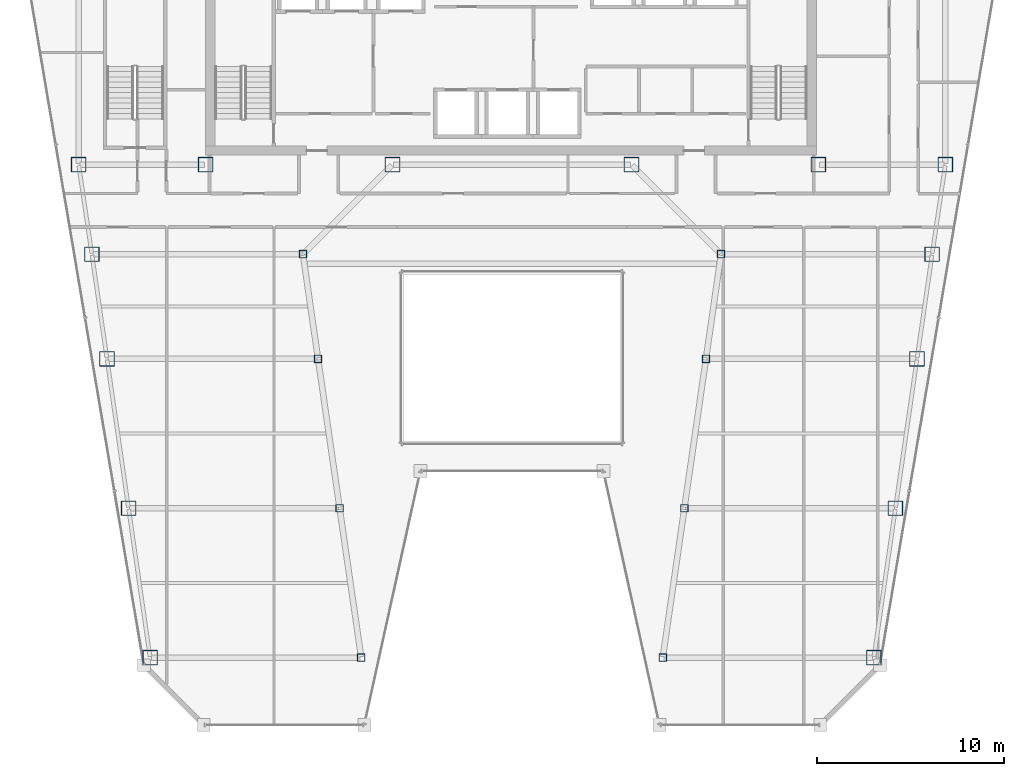
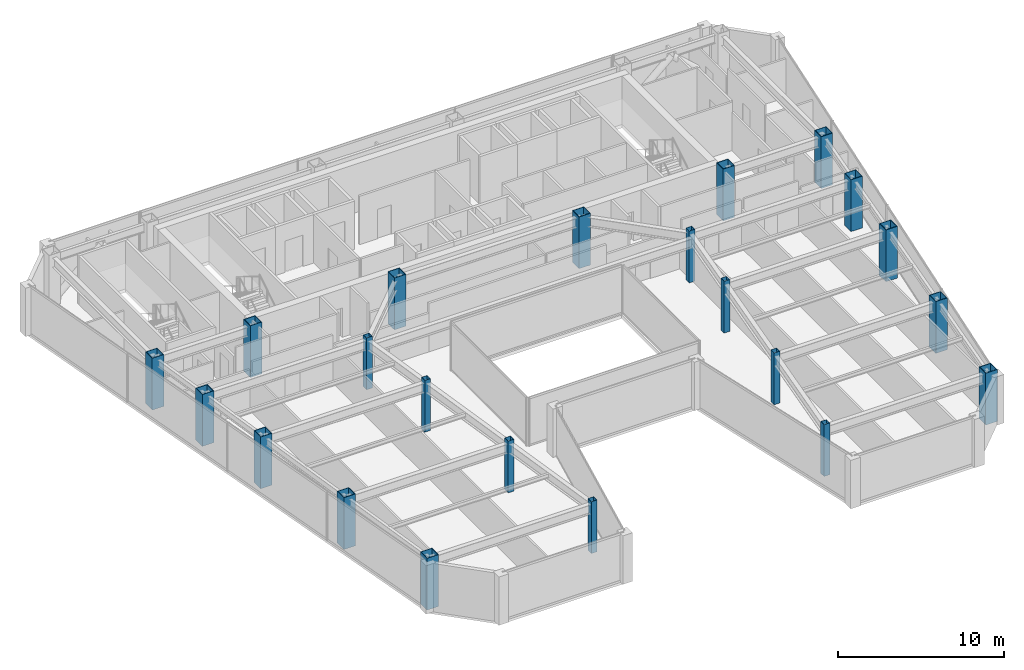
# One storey, part 1 of 36: 22 columns.
"""IFC4 building model written with IfcOpenShell, lengths in metres."""

from ifc_helpers import new_model, si_unit, direction, frame, origin, origin_2d, place, context, subcontext, project, spatial, hollow_rectangle, extrude, material, material_profile, profile_set, type_object, element, save


model = new_model("IFC4")

# Units and contexts
model_context = context("Model", 3, precision=1e-05, world=origin(), true_north=direction((0.0, 1.0)))
body_context = subcontext(model_context, "Body", "Model", "MODEL_VIEW")
ifc_project = project(units=[si_unit("LENGTHUNIT", "METRE"), si_unit("AREAUNIT", "SQUARE_METRE"), si_unit("VOLUMEUNIT", "CUBIC_METRE"), si_unit("PLANEANGLEUNIT", "RADIAN"), si_unit("MASSUNIT", "GRAM", prefix="KILO")], contexts=[model_context])

# Site, building, storey
site_placement = place(None, origin())
site = spatial("IfcSite", under=ifc_project, at=site_placement, CompositionType="ELEMENT")
building_placement = place(site_placement, origin())
building = spatial("IfcBuilding", under=site, at=building_placement, Name="Saevonmaru Cultural Tower", CompositionType="ELEMENT")
storey_placement = place(building_placement, frame((0.0, 0.0, 205.60009765625)))
storey = spatial("IfcBuildingStorey", under=building, at=storey_placement, Name="L47", CompositionType="ELEMENT", Elevation=205.60009765625)

# Columns
ifc_material_1 = material(Name="Steel SM420", Category="steel")
ifc_material_profile_1 = material_profile(ifc_material_1, hollow_rectangle(XDim=0.800048828125, YDim=0.800048828125, WallThickness=0.035888671875, at=origin_2d()), Name="BOX-800x800x36")
ifc_profile_set_1 = profile_set([ifc_material_profile_1], Name="Steel SM420")
column_type_1 = type_object("IfcColumnType", Name="COL-BOX-800", PredefinedType="COLUMN", material=ifc_profile_set_1)
for number, where, z_axis, x_axis, name in (
    (1, (6.800048828125, 42.39990234375, 0.0), (0.0, 0.0, 1.0), (1.0, 0.0, 0.0), "L47 Column TC-S1C"),
    (2, (13.60009765625, 42.39990234375, 0.0), (0.0, 0.0, 1.0), (1.0, 0.0, 0.0), "L47 Column TC-S2C"),
    (3, (23.60009765625, 42.39990234375, 0.0), (0.0, 0.0, 1.0), (1.0, 0.0, 0.0), "L47 Column TC-S3C"),
    (4, (36.39990234375, 42.39990234375, 0.0), (0.0, 0.0, 1.0), (1.0, 0.0, 0.0), "L47 Column TC-S4C"),
    (5, (46.39990234375, 42.39990234375, 0.0), (0.0, 0.0, 1.0), (1.0, 0.0, 0.0), "L47 Column TC-S5C"),
    (6, (53.199951171875, 42.39990234375, 0.0), (0.0, 0.0, 1.0), (1.0, 0.0, 0.0), "L47 Column TC-S6C"),
    (7, (10.6279296875, 16.0, 0.0), (0.0, 0.0, 1.0), (1.0, 0.0, 0.0), "L47 Column TC-WO-Y160"),
    (8, (49.3720703125, 16.0, 0.0), (0.0, 0.0, 1.0), (1.0, 0.0, 0.0), "L47 Column TC-EO-Y160"),
    (9, (9.471923828125, 24.0, 0.0), (0.0, 0.0, 1.0), (1.0, 0.0, 0.0), "L47 Column TC-WO-Y240"),
    (10, (50.528076171875, 24.0, 0.0), (0.0, 0.0, 1.0), (1.0, 0.0, 0.0), "L47 Column TC-EO-Y240"),
    (11, (8.31689453125, 32.0, 0.0), (0.0, 0.0, 1.0), (1.0, 0.0, 0.0), "L47 Column TC-WO-Y320"),
    (12, (51.68310546875, 32.0, 0.0), (0.0, 0.0, 1.0), (1.0, 0.0, 0.0), "L47 Column TC-EO-Y320"),
    (13, (7.508056640625, 37.60009765625, 0.0), (0.0, 0.0, 1.0), (1.0, 0.0, 0.0), "L47 Column TC-WO-Y376"),
    (14, (52.491943359375, 37.60009765625, 0.0), (0.0, 0.0, 1.0), (1.0, 0.0, 0.0), "L47 Column TC-EO-Y376"),
):
    element("IfcColumn", number, at=place(storey_placement, frame(where, z_axis=z_axis, x_axis=x_axis)), inside=storey, type_object=column_type_1, Name=name, PredefinedType="COLUMN", context=body_context, shape_type="SweptSolid", body=[
        extrude(hollow_rectangle(XDim=0.800048828125, YDim=0.800048828125, WallThickness=0.035888671875, at=origin_2d()), origin(), (0.0, 0.0, 1.0), 3.7998046875),
    ])
ifc_material_2 = material(Name="Steel SM355", Category="steel")
ifc_material_profile_2 = material_profile(ifc_material_2, hollow_rectangle(XDim=0.39990234375, YDim=0.39990234375, WallThickness=0.01611328125, at=origin_2d()), Name="SHS-400x400x16")
ifc_profile_set_2 = profile_set([ifc_material_profile_2], Name="Steel SM355")
column_type_2 = type_object("IfcColumnType", Name="COL-SHS-400", PredefinedType="COLUMN", material=ifc_profile_set_2)
for number, where, z_axis, x_axis, name in (
    (15, (21.927978515625, 16.0, 0.0), (0.0, 0.0, 1.0), (1.0, 0.0, 0.0), "L47 Column TC-WI-Y160"),
    (16, (38.072021484375, 16.0, 0.0), (0.0, 0.0, 1.0), (1.0, 0.0, 0.0), "L47 Column TC-EI-Y160"),
    (17, (20.77197265625, 24.0, 0.0), (0.0, 0.0, 1.0), (1.0, 0.0, 0.0), "L47 Column TC-WI-Y240"),
    (18, (39.22802734375, 24.0, 0.0), (0.0, 0.0, 1.0), (1.0, 0.0, 0.0), "L47 Column TC-EI-Y240"),
    (19, (19.616943359375, 32.0, 0.0), (0.0, 0.0, 1.0), (1.0, 0.0, 0.0), "L47 Column TC-WI-Y320"),
    (20, (40.383056640625, 32.0, 0.0), (0.0, 0.0, 1.0), (1.0, 0.0, 0.0), "L47 Column TC-EI-Y320"),
    (21, (18.80810546875, 37.60009765625, 0.0), (0.0, 0.0, 1.0), (1.0, 0.0, 0.0), "L47 Column TC-WI-Y376"),
    (22, (41.19189453125, 37.60009765625, 0.0), (0.0, 0.0, 1.0), (1.0, 0.0, 0.0), "L47 Column TC-EI-Y376"),
):
    element("IfcColumn", number, at=place(storey_placement, frame(where, z_axis=z_axis, x_axis=x_axis)), inside=storey, type_object=column_type_2, Name=name, PredefinedType="COLUMN", context=body_context, shape_type="SweptSolid", body=[
        extrude(hollow_rectangle(XDim=0.39990234375, YDim=0.39990234375, WallThickness=0.01611328125, at=origin_2d()), origin(), (0.0, 0.0, 1.0), 3.7998046875),
    ])

save(model, "model.ifc")
